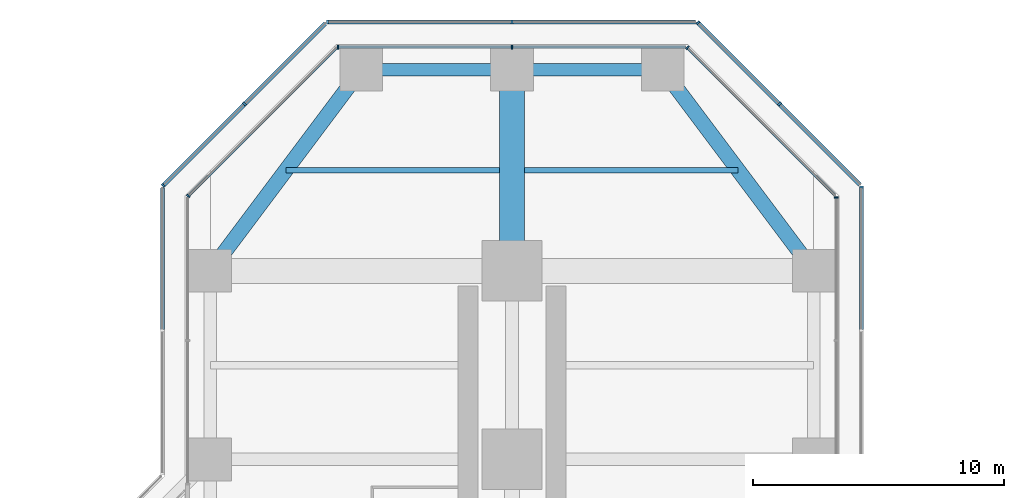
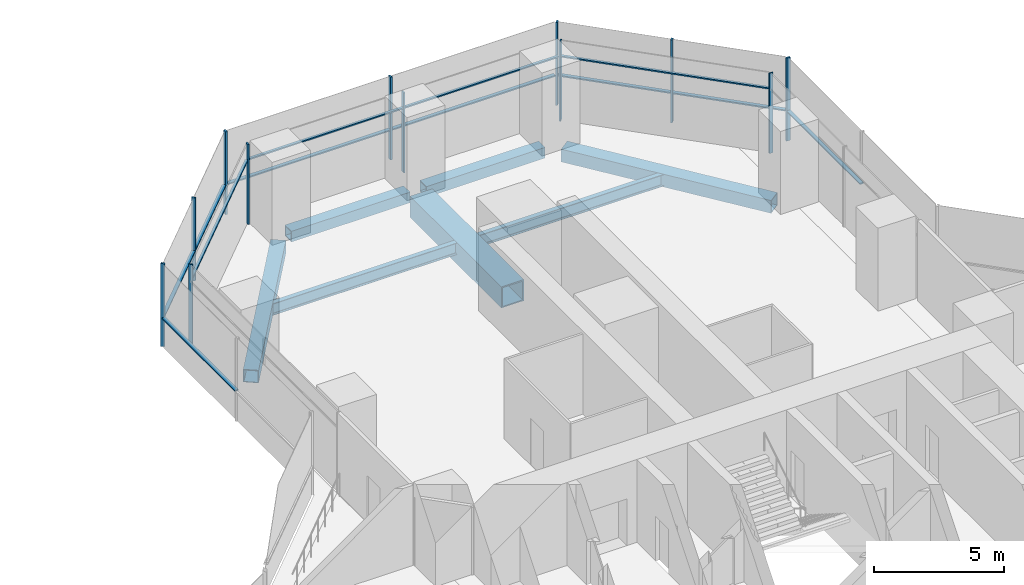
# One storey, part 13 of 22: 24 members, 7 beams, 9 elements without a shape of their own.
"""IFC4 building model written with IfcOpenShell, lengths in metres."""

from ifc_helpers import new_model, si_unit, direction, frame, origin, origin_2d, place, context, subcontext, project, spatial, rectangle, hollow_rectangle, i_section, extrude, material, material_profile, profile_set, type_object, element, aggregate, save


model = new_model("IFC4")

# Units and contexts
model_context = context("Model", 3, precision=1e-05, world=origin(), true_north=direction((0.0, 1.0)))
body_context = subcontext(model_context, "Body", "Model", "MODEL_VIEW")
ifc_project = project(units=[si_unit("LENGTHUNIT", "METRE"), si_unit("AREAUNIT", "SQUARE_METRE"), si_unit("VOLUMEUNIT", "CUBIC_METRE"), si_unit("PLANEANGLEUNIT", "RADIAN"), si_unit("MASSUNIT", "GRAM", prefix="KILO")], contexts=[model_context])

# Site, building, storey
site_placement = place(None, origin())
site = spatial("IfcSite", under=ifc_project, at=site_placement, CompositionType="ELEMENT")
building_placement = place(site_placement, origin())
building = spatial("IfcBuilding", under=site, at=building_placement, Name="Mizan Broadcast Tower", CompositionType="ELEMENT")
storey_placement = place(building_placement, frame((0.0, 0.0, 63.0)))
storey = spatial("IfcBuildingStorey", under=building, at=storey_placement, Name="L12", CompositionType="ELEMENT", Elevation=63.0)

# Beams
ifc_material_1 = material(Name="Steel S355", Category="steel")
ifc_material_profile_1 = material_profile(ifc_material_1, hollow_rectangle(XDim=0.5, YDim=0.5, WallThickness=0.030029296875, at=origin_2d()), Name="BOX 500x500x30")
ifc_profile_set_1 = profile_set([ifc_material_profile_1], Name="Steel S355")
beam_type_1 = type_object("IfcBeamType", Name="EDGE BEAM BOX 500x500x30", PredefinedType="SPANDREL", material=ifc_profile_set_1)
for number, where, z_axis, x_axis, name in (
    (1, (5.639892578125, 35.0, -0.3798828125), (-1.0, 0.0, 0.0), (0.0, -1.0, 0.0), "Edge beam BOX 500x500x30 L12 north arm"),
    (2, (-5.639892578125, 35.0, -0.3798828125), (1.0, 0.0, 0.0), (0.0, 1.0, 0.0), "Edge beam BOX 500x500x30 L12 north arm"),
):
    element("IfcBeam", number, at=place(storey_placement, frame(where, z_axis=z_axis, x_axis=x_axis)), inside=storey, type_object=beam_type_1, Name=name, PredefinedType="SPANDREL", context=body_context, shape_type="SweptSolid", body=[
        extrude(hollow_rectangle(XDim=0.5, YDim=0.5, WallThickness=0.030029296875, at=origin_2d()), origin(), (0.0, 0.0, 1.0), 5.27978515625),
    ])
ifc_material_2 = material(Name="Steel S355", Category="steel")
ifc_material_profile_2 = material_profile(ifc_material_2, hollow_rectangle(XDim=0.60009765625, YDim=0.60009765625, WallThickness=0.030029296875, at=origin_2d()), Name="BOX 600x600x30")
ifc_profile_set_2 = profile_set([ifc_material_profile_2], Name="Steel S355")
beam_type_2 = type_object("IfcBeamType", Name="EDGE BEAM BOX 600x600x30", PredefinedType="SPANDREL", material=ifc_profile_set_2)
for number, where, z_axis, x_axis, name in (
    (3, (11.639892578125, 27.47998046875, -0.429931640625), (-0.599982243973, 0.800013316712, 0.0), (-0.800013316712, -0.599982243973, 0.0), "Edge beam BOX 600x600x30 L12 north arm"),
    (4, (-11.639892578125, 27.47998046875, -0.429931640625), (0.599982243973, 0.800013316712, 0.0), (-0.800013316712, 0.599982243973, 0.0), "Edge beam BOX 600x600x30 L12 north arm"),
):
    element("IfcBeam", number, at=place(storey_placement, frame(where, z_axis=z_axis, x_axis=x_axis)), inside=storey, type_object=beam_type_2, Name=name, PredefinedType="SPANDREL", context=body_context, shape_type="SweptSolid", body=[
        extrude(hollow_rectangle(XDim=0.60009765625, YDim=0.60009765625, WallThickness=0.030029296875, at=origin_2d()), origin(), (0.0, 0.0, 1.0), 8.7998046875),
    ])
ifc_material_3 = material(Name="Steel S460", Category="steel")
ifc_material_profile_3 = material_profile(ifc_material_3, hollow_rectangle(XDim=1.0, YDim=1.0, WallThickness=0.06005859375, at=origin_2d()), Name="BOX 1000x1000x60")
ifc_profile_set_3 = profile_set([ifc_material_profile_3], Name="Steel S460")
beam_type_3 = type_object("IfcBeamType", Name="GIRDER BOX 1000x1000x60", PredefinedType="BEAM", material=ifc_profile_set_3)
beam_placement = place(storey_placement, frame((0.0, 27.47998046875, -0.6298828125), z_axis=(0.0, 1.0, 0.0), x_axis=(-1.0, 0.0, 0.0)))
element("IfcBeam", 5, at=beam_placement, inside=storey, type_object=beam_type_3, Name="Girder BOX 1000x1000x60 L12 north arm", PredefinedType="BEAM", context=body_context, shape_type="SweptSolid", body=[
    extrude(hollow_rectangle(XDim=1.0, YDim=1.0, WallThickness=0.06005859375, at=origin_2d()), origin(), (0.0, 0.0, 1.0), 7.0400390625),
])

# Curtain wall, member
ifc_material_4 = material(Name="Aluminium framed glazing", Category="aluminium")
curtain_wall_type_1 = type_object("IfcCurtainWallType", Name="INNER SKIN LOW ZONE", PredefinedType="USERDEFINED", material=ifc_material_4)
curtain_wall_1_placement = place(storey_placement, origin())
curtain_wall_1 = element("IfcCurtainWall", 6, at=curtain_wall_1_placement, inside=storey, type_object=curtain_wall_type_1, Name="Inner skin low zone L12 N side", ObjectType="INNER SKIN LOW ZONE", PredefinedType="USERDEFINED")
ifc_material_5 = material(Name="Aluminium, pale anodised", Category="aluminium")
ifc_material_profile_4 = material_profile(ifc_material_5, rectangle(XDim=0.159912109375, YDim=0.06005859375, at=origin_2d()), Name="MULLION 160x60")
ifc_profile_set_4 = profile_set([ifc_material_profile_4], Name="Aluminium, pale anodised")
member_type_1 = type_object("IfcMemberType", Name="INNER SKIN MULLION 60x160", PredefinedType="MULLION", material=ifc_profile_set_4)
member_1_placement = place(storey_placement, frame((12.89990234375, 29.928466796875, 0.0), z_axis=(0.0, 0.0, 1.0), x_axis=(-1.0, 0.0, 0.0)))
member_1 = element("IfcMember", 7, at=member_1_placement, type_object=member_type_1, Name="Inner skin low zone L12 N side mullion 3", PredefinedType="MULLION", context=body_context, shape_type="SweptSolid", body=[
    extrude(rectangle(XDim=0.159912109375, YDim=0.06005859375, at=origin_2d()), origin(), (0.0, 0.0, 1.0), 3.77001953125),
])
aggregate(curtain_wall_1, [member_1])

curtain_wall_2_placement = place(storey_placement, origin())
curtain_wall_2 = element("IfcCurtainWall", 8, at=curtain_wall_2_placement, inside=storey, type_object=curtain_wall_type_1, Name="Inner skin low zone L12 N chamfer", ObjectType="INNER SKIN LOW ZONE", PredefinedType="USERDEFINED")
member_2_placement = place(storey_placement, frame((6.979736328125, 35.87890625, 0.0), z_axis=(0.0, 0.0, 1.0), x_axis=(-0.707106781187, -0.707106781187, 0.0)))
member_2 = element("IfcMember", 9, at=member_2_placement, type_object=member_type_1, Name="Inner skin low zone L12 N chamfer mullion 2", PredefinedType="MULLION", context=body_context, shape_type="SweptSolid", body=[
    extrude(rectangle(XDim=0.159912109375, YDim=0.06005859375, at=origin_2d()), origin(), (0.0, 0.0, 1.0), 3.77001953125),
])

# Curtain wall, members
curtain_wall_3_placement = place(storey_placement, origin())
curtain_wall_3 = element("IfcCurtainWall", 10, at=curtain_wall_3_placement, inside=storey, type_object=curtain_wall_type_1, Name="Inner skin low zone L12 N end", ObjectType="INNER SKIN LOW ZONE", PredefinedType="USERDEFINED")
member_3_placement = place(storey_placement, frame((0.0, 35.89990234375, 0.0), z_axis=(0.0, 0.0, 1.0), x_axis=(0.0, -1.0, 0.0)))
member_3 = element("IfcMember", 11, at=member_3_placement, type_object=member_type_1, Name="Inner skin low zone L12 N end mullion 2", PredefinedType="MULLION", context=body_context, shape_type="SweptSolid", body=[
    extrude(rectangle(XDim=0.159912109375, YDim=0.06005859375, at=origin_2d()), origin(), (0.0, 0.0, 1.0), 3.77001953125),
])
member_4_placement = place(storey_placement, frame((-6.928466796875, 35.89990234375, 0.0), z_axis=(0.0, 0.0, 1.0), x_axis=(0.0, -1.0, 0.0)))
member_4 = element("IfcMember", 12, at=member_4_placement, type_object=member_type_1, Name="Inner skin low zone L12 N end mullion 3", PredefinedType="MULLION", context=body_context, shape_type="SweptSolid", body=[
    extrude(rectangle(XDim=0.159912109375, YDim=0.06005859375, at=origin_2d()), origin(), (0.0, 0.0, 1.0), 3.77001953125),
])

# Curtain wall, member
curtain_wall_4_placement = place(storey_placement, origin())
curtain_wall_4 = element("IfcCurtainWall", 13, at=curtain_wall_4_placement, inside=storey, type_object=curtain_wall_type_1, Name="Inner skin low zone L12 N chamfer", ObjectType="INNER SKIN LOW ZONE", PredefinedType="USERDEFINED")
member_5_placement = place(storey_placement, frame((-12.87890625, 29.979736328125, 0.0), z_axis=(0.0, 0.0, 1.0), x_axis=(0.707106781187, -0.707106781187, 0.0)))
member_5 = element("IfcMember", 14, at=member_5_placement, type_object=member_type_1, Name="Inner skin low zone L12 N chamfer mullion 2", PredefinedType="MULLION", context=body_context, shape_type="SweptSolid", body=[
    extrude(rectangle(XDim=0.159912109375, YDim=0.06005859375, at=origin_2d()), origin(), (0.0, 0.0, 1.0), 3.77001953125),
])

# Member
ifc_material_6 = material(Name="Aluminium, pale anodised", Category="aluminium")
ifc_material_profile_5 = material_profile(ifc_material_6, rectangle(XDim=0.1201171875, YDim=0.06005859375, at=origin_2d()), Name="TRANSOM 120x60")
ifc_profile_set_5 = profile_set([ifc_material_profile_5], Name="Aluminium, pale anodised")
member_type_2 = type_object("IfcMemberType", Name="INNER SKIN TRANSOM 60x120", PredefinedType="USERDEFINED", material=ifc_profile_set_5)
member_6_placement = place(storey_placement, frame((12.857666015625, 30.0009765625, 3.030029296875), z_axis=(-0.707106781187, 0.707106781187, 0.0), x_axis=(-0.707106781187, -0.707106781187, 0.0)))
member_6 = element("IfcMember", 15, at=member_6_placement, type_object=member_type_2, Name="Inner skin low zone L12 N chamfer transom 1.1", ObjectType="TRANSOM", PredefinedType="USERDEFINED", context=body_context, shape_type="SweptSolid", body=[
    extrude(rectangle(XDim=0.1201171875, YDim=0.06005859375, at=origin_2d()), origin(), (0.0, 0.0, 1.0), 8.28271484375),
])

aggregate(curtain_wall_2, [member_2, member_6])

member_7_placement = place(storey_placement, frame((6.898681640625, 35.89990234375, 3.030029296875), z_axis=(-1.0, 0.0, 0.0), x_axis=(0.0, -1.0, 0.0)))
member_7 = element("IfcMember", 16, at=member_7_placement, type_object=member_type_2, Name="Inner skin low zone L12 N end transom 1.1", ObjectType="TRANSOM", PredefinedType="USERDEFINED", context=body_context, shape_type="SweptSolid", body=[
    extrude(rectangle(XDim=0.1201171875, YDim=0.06005859375, at=origin_2d()), origin(), (0.0, 0.0, 1.0), 6.86865234375),
])

member_8_placement = place(storey_placement, frame((-0.030029296875, 35.89990234375, 3.030029296875), z_axis=(-1.0, 0.0, 0.0), x_axis=(0.0, -1.0, 0.0)))
member_8 = element("IfcMember", 17, at=member_8_placement, type_object=member_type_2, Name="Inner skin low zone L12 N end transom 2.1", ObjectType="TRANSOM", PredefinedType="USERDEFINED", context=body_context, shape_type="SweptSolid", body=[
    extrude(rectangle(XDim=0.1201171875, YDim=0.06005859375, at=origin_2d()), origin(), (0.0, 0.0, 1.0), 6.86865234375),
])

aggregate(curtain_wall_3, [member_3, member_4, member_7, member_8])

member_9_placement = place(storey_placement, frame((-7.0009765625, 35.857666015625, 3.030029296875), z_axis=(-0.707106781187, -0.707106781187, 0.0), x_axis=(0.707106781187, -0.707106781187, 0.0)))
member_9 = element("IfcMember", 18, at=member_9_placement, type_object=member_type_2, Name="Inner skin low zone L12 N chamfer transom 1.1", ObjectType="TRANSOM", PredefinedType="USERDEFINED", context=body_context, shape_type="SweptSolid", body=[
    extrude(rectangle(XDim=0.1201171875, YDim=0.06005859375, at=origin_2d()), origin(), (0.0, 0.0, 1.0), 8.28271484375),
])

aggregate(curtain_wall_4, [member_5, member_9])

# Curtain wall, member
ifc_material_7 = material(Name="Aluminium framed glazing", Category="aluminium")
curtain_wall_type_2 = type_object("IfcCurtainWallType", Name="OUTER SKIN", PredefinedType="USERDEFINED", material=ifc_material_7)
curtain_wall_5_placement = place(storey_placement, origin())
curtain_wall_5 = element("IfcCurtainWall", 19, at=curtain_wall_5_placement, inside=storey, type_object=curtain_wall_type_2, Name="Outer skin L12 N side", ObjectType="OUTER SKIN", PredefinedType="USERDEFINED")
ifc_material_8 = material(Name="Aluminium, pale anodised", Category="aluminium")
ifc_material_profile_6 = material_profile(ifc_material_8, rectangle(XDim=0.159912109375, YDim=0.080078125, at=origin_2d()), Name="MULLION 160x80")
ifc_profile_set_6 = profile_set([ifc_material_profile_6], Name="Aluminium, pale anodised")
member_type_3 = type_object("IfcMemberType", Name="OUTER SKIN MULLION 80x160", PredefinedType="MULLION", material=ifc_profile_set_6)
member_10_placement = place(storey_placement, frame((13.89990234375, 30.332763671875, 0.0), z_axis=(0.0, 0.0, 1.0), x_axis=(-1.0, 0.0, 0.0)))
member_10 = element("IfcMember", 20, at=member_10_placement, type_object=member_type_3, Name="Outer skin L12 N side mullion 3", PredefinedType="MULLION", context=body_context, shape_type="SweptSolid", body=[
    extrude(rectangle(XDim=0.159912109375, YDim=0.080078125, at=origin_2d()), origin(), (0.0, 0.0, 1.0), 3.89990234375),
])

# Curtain wall, members
curtain_wall_6_placement = place(storey_placement, origin())
curtain_wall_6 = element("IfcCurtainWall", 21, at=curtain_wall_6_placement, inside=storey, type_object=curtain_wall_type_2, Name="Outer skin L12 N chamfer", ObjectType="OUTER SKIN", PredefinedType="USERDEFINED")
member_11_placement = place(storey_placement, frame((10.636474609375, 33.636474609375, 0.0), z_axis=(0.0, 0.0, 1.0), x_axis=(-0.707106781187, -0.707106781187, 0.0)))
member_11 = element("IfcMember", 22, at=member_11_placement, type_object=member_type_3, Name="Outer skin L12 N chamfer mullion 2", PredefinedType="MULLION", context=body_context, shape_type="SweptSolid", body=[
    extrude(rectangle(XDim=0.159912109375, YDim=0.080078125, at=origin_2d()), origin(), (0.0, 0.0, 1.0), 3.89990234375),
])
member_12_placement = place(storey_placement, frame((7.401123046875, 36.871826171875, 0.0), z_axis=(0.0, 0.0, 1.0), x_axis=(-0.707106781187, -0.707106781187, 0.0)))
member_12 = element("IfcMember", 23, at=member_12_placement, type_object=member_type_3, Name="Outer skin L12 N chamfer mullion 3", PredefinedType="MULLION", context=body_context, shape_type="SweptSolid", body=[
    extrude(rectangle(XDim=0.159912109375, YDim=0.080078125, at=origin_2d()), origin(), (0.0, 0.0, 1.0), 3.89990234375),
])

curtain_wall_7_placement = place(storey_placement, origin())
curtain_wall_7 = element("IfcCurtainWall", 24, at=curtain_wall_7_placement, inside=storey, type_object=curtain_wall_type_2, Name="Outer skin L12 N end", ObjectType="OUTER SKIN", PredefinedType="USERDEFINED")
member_13_placement = place(storey_placement, frame((0.0, 36.89990234375, 0.0), z_axis=(0.0, 0.0, 1.0), x_axis=(0.0, -1.0, 0.0)))
member_13 = element("IfcMember", 25, at=member_13_placement, type_object=member_type_3, Name="Outer skin L12 N end mullion 2", PredefinedType="MULLION", context=body_context, shape_type="SweptSolid", body=[
    extrude(rectangle(XDim=0.159912109375, YDim=0.080078125, at=origin_2d()), origin(), (0.0, 0.0, 1.0), 3.89990234375),
])
member_14_placement = place(storey_placement, frame((-7.332763671875, 36.89990234375, 0.0), z_axis=(0.0, 0.0, 1.0), x_axis=(0.0, -1.0, 0.0)))
member_14 = element("IfcMember", 26, at=member_14_placement, type_object=member_type_3, Name="Outer skin L12 N end mullion 3", PredefinedType="MULLION", context=body_context, shape_type="SweptSolid", body=[
    extrude(rectangle(XDim=0.159912109375, YDim=0.080078125, at=origin_2d()), origin(), (0.0, 0.0, 1.0), 3.89990234375),
])

curtain_wall_8_placement = place(storey_placement, origin())
curtain_wall_8 = element("IfcCurtainWall", 27, at=curtain_wall_8_placement, inside=storey, type_object=curtain_wall_type_2, Name="Outer skin L12 N chamfer", ObjectType="OUTER SKIN", PredefinedType="USERDEFINED")
member_15_placement = place(storey_placement, frame((-10.636474609375, 33.636474609375, 0.0), z_axis=(0.0, 0.0, 1.0), x_axis=(0.707106781187, -0.707106781187, 0.0)))
member_15 = element("IfcMember", 28, at=member_15_placement, type_object=member_type_3, Name="Outer skin L12 N chamfer mullion 2", PredefinedType="MULLION", context=body_context, shape_type="SweptSolid", body=[
    extrude(rectangle(XDim=0.159912109375, YDim=0.080078125, at=origin_2d()), origin(), (0.0, 0.0, 1.0), 3.89990234375),
])
member_16_placement = place(storey_placement, frame((-13.871826171875, 30.401123046875, 0.0), z_axis=(0.0, 0.0, 1.0), x_axis=(0.707106781187, -0.707106781187, 0.0)))
member_16 = element("IfcMember", 29, at=member_16_placement, type_object=member_type_3, Name="Outer skin L12 N chamfer mullion 3", PredefinedType="MULLION", context=body_context, shape_type="SweptSolid", body=[
    extrude(rectangle(XDim=0.159912109375, YDim=0.080078125, at=origin_2d()), origin(), (0.0, 0.0, 1.0), 3.89990234375),
])

# Member
ifc_material_9 = material(Name="Aluminium, pale anodised", Category="aluminium")
ifc_material_profile_7 = material_profile(ifc_material_9, rectangle(XDim=0.159912109375, YDim=0.06005859375, at=origin_2d()), Name="TRANSOM 160x60")
ifc_profile_set_7 = profile_set([ifc_material_profile_7], Name="Aluminium, pale anodised")
member_type_4 = type_object("IfcMemberType", Name="OUTER SKIN TRANSOM 60x160", PredefinedType="USERDEFINED", material=ifc_profile_set_7)
member_17_placement = place(storey_placement, frame((13.89990234375, 24.662841796875, 1.39990234375), z_axis=(0.0, 1.0, 0.0), x_axis=(-1.0, 0.0, 0.0)))
member_17 = element("IfcMember", 30, at=member_17_placement, type_object=member_type_4, Name="Outer skin L12 N side transom 2.1", ObjectType="TRANSOM", PredefinedType="USERDEFINED", context=body_context, shape_type="SweptSolid", body=[
    extrude(rectangle(XDim=0.159912109375, YDim=0.06005859375, at=origin_2d()), origin(), (0.0, 0.0, 1.0), 5.6298828125),
])

aggregate(curtain_wall_5, [member_10, member_17])

member_18_placement = place(storey_placement, frame((13.843505859375, 30.429443359375, 1.39990234375), z_axis=(-0.707106781187, 0.707106781187, 0.0), x_axis=(-0.707106781187, -0.707106781187, 0.0)))
member_18 = element("IfcMember", 31, at=member_18_placement, type_object=member_type_4, Name="Outer skin L12 N chamfer transom 1.1", ObjectType="TRANSOM", PredefinedType="USERDEFINED", context=body_context, shape_type="SweptSolid", body=[
    extrude(rectangle(XDim=0.159912109375, YDim=0.06005859375, at=origin_2d()), origin(), (0.0, 0.0, 1.0), 4.495361328125),
])

member_19_placement = place(storey_placement, frame((10.608154296875, 33.664794921875, 1.39990234375), z_axis=(-0.707106781187, 0.707106781187, 0.0), x_axis=(-0.707106781187, -0.707106781187, 0.0)))
member_19 = element("IfcMember", 32, at=member_19_placement, type_object=member_type_4, Name="Outer skin L12 N chamfer transom 2.1", ObjectType="TRANSOM", PredefinedType="USERDEFINED", context=body_context, shape_type="SweptSolid", body=[
    extrude(rectangle(XDim=0.159912109375, YDim=0.06005859375, at=origin_2d()), origin(), (0.0, 0.0, 1.0), 4.495361328125),
])

aggregate(curtain_wall_6, [member_11, member_12, member_18, member_19])

member_20_placement = place(storey_placement, frame((7.292724609375, 36.89990234375, 1.39990234375), z_axis=(-1.0, 0.0, 0.0), x_axis=(0.0, -1.0, 0.0)))
member_20 = element("IfcMember", 33, at=member_20_placement, type_object=member_type_4, Name="Outer skin L12 N end transom 1.1", ObjectType="TRANSOM", PredefinedType="USERDEFINED", context=body_context, shape_type="SweptSolid", body=[
    extrude(rectangle(XDim=0.159912109375, YDim=0.06005859375, at=origin_2d()), origin(), (0.0, 0.0, 1.0), 7.252685546875),
])

member_21_placement = place(storey_placement, frame((-0.0400390625, 36.89990234375, 1.39990234375), z_axis=(-1.0, 0.0, 0.0), x_axis=(0.0, -1.0, 0.0)))
member_21 = element("IfcMember", 34, at=member_21_placement, type_object=member_type_4, Name="Outer skin L12 N end transom 2.1", ObjectType="TRANSOM", PredefinedType="USERDEFINED", context=body_context, shape_type="SweptSolid", body=[
    extrude(rectangle(XDim=0.159912109375, YDim=0.06005859375, at=origin_2d()), origin(), (0.0, 0.0, 1.0), 7.252685546875),
])

aggregate(curtain_wall_7, [member_13, member_14, member_20, member_21])

member_22_placement = place(storey_placement, frame((-7.429443359375, 36.843505859375, 1.39990234375), z_axis=(-0.707106781187, -0.707106781187, 0.0), x_axis=(0.707106781187, -0.707106781187, 0.0)))
member_22 = element("IfcMember", 35, at=member_22_placement, type_object=member_type_4, Name="Outer skin L12 N chamfer transom 1.1", ObjectType="TRANSOM", PredefinedType="USERDEFINED", context=body_context, shape_type="SweptSolid", body=[
    extrude(rectangle(XDim=0.159912109375, YDim=0.06005859375, at=origin_2d()), origin(), (0.0, 0.0, 1.0), 4.495361328125),
])

member_23_placement = place(storey_placement, frame((-10.664794921875, 33.608154296875, 1.39990234375), z_axis=(-0.707106781187, -0.707106781187, 0.0), x_axis=(0.707106781187, -0.707106781187, 0.0)))
member_23 = element("IfcMember", 36, at=member_23_placement, type_object=member_type_4, Name="Outer skin L12 N chamfer transom 2.1", ObjectType="TRANSOM", PredefinedType="USERDEFINED", context=body_context, shape_type="SweptSolid", body=[
    extrude(rectangle(XDim=0.159912109375, YDim=0.06005859375, at=origin_2d()), origin(), (0.0, 0.0, 1.0), 4.495361328125),
])

aggregate(curtain_wall_8, [member_15, member_16, member_22, member_23])

# Curtain wall, member
curtain_wall_9_placement = place(storey_placement, origin())
curtain_wall_9 = element("IfcCurtainWall", 37, at=curtain_wall_9_placement, inside=storey, type_object=curtain_wall_type_2, Name="Outer skin L12 N side", ObjectType="OUTER SKIN", PredefinedType="USERDEFINED")
member_24_placement = place(storey_placement, frame((-13.89990234375, 30.292724609375, 1.39990234375), z_axis=(0.0, -1.0, 0.0), x_axis=(1.0, 0.0, 0.0)))
member_24 = element("IfcMember", 38, at=member_24_placement, type_object=member_type_4, Name="Outer skin L12 N side transom 1.1", ObjectType="TRANSOM", PredefinedType="USERDEFINED", context=body_context, shape_type="SweptSolid", body=[
    extrude(rectangle(XDim=0.159912109375, YDim=0.06005859375, at=origin_2d()), origin(), (0.0, 0.0, 1.0), 5.6298828125),
])
aggregate(curtain_wall_9, [member_24])

# Beams
ifc_material_10 = material(Name="Steel S355", Category="steel")
ifc_material_profile_8 = material_profile(ifc_material_10, i_section(OverallWidth=0.2099609375, OverallDepth=0.550048828125, WebThickness=0.010986328125, FlangeThickness=0.01708984375, FilletRadius=0.02392578125, at=origin_2d()), Name="IPE 550")
ifc_profile_set_8 = profile_set([ifc_material_profile_8], Name="Steel S355")
beam_type_4 = type_object("IfcBeamType", Name="SECONDARY BEAM IPE 550", PredefinedType="JOIST", material=ifc_profile_set_8)
for number, where, z_axis, x_axis, name in (
    (39, (9.0, 31.0, -0.405029296875), (-1.0, 0.0, 0.0), (0.0, -1.0, 0.0), "Secondary beam IPE 550 L12 north arm"),
    (40, (-9.0, 31.0, -0.405029296875), (1.0, 0.0, 0.0), (0.0, 1.0, 0.0), "Secondary beam IPE 550 L12 north arm"),
):
    element("IfcBeam", number, at=place(storey_placement, frame(where, z_axis=z_axis, x_axis=x_axis)), inside=storey, type_object=beam_type_4, Name=name, PredefinedType="JOIST", context=body_context, shape_type="SweptSolid", body=[
        extrude(i_section(OverallWidth=0.2099609375, OverallDepth=0.550048828125, WebThickness=0.010986328125, FlangeThickness=0.01708984375, FilletRadius=0.02392578125, at=origin_2d()), origin(), (0.0, 0.0, 1.0), 8.5),
    ])

save(model, "model.ifc")
